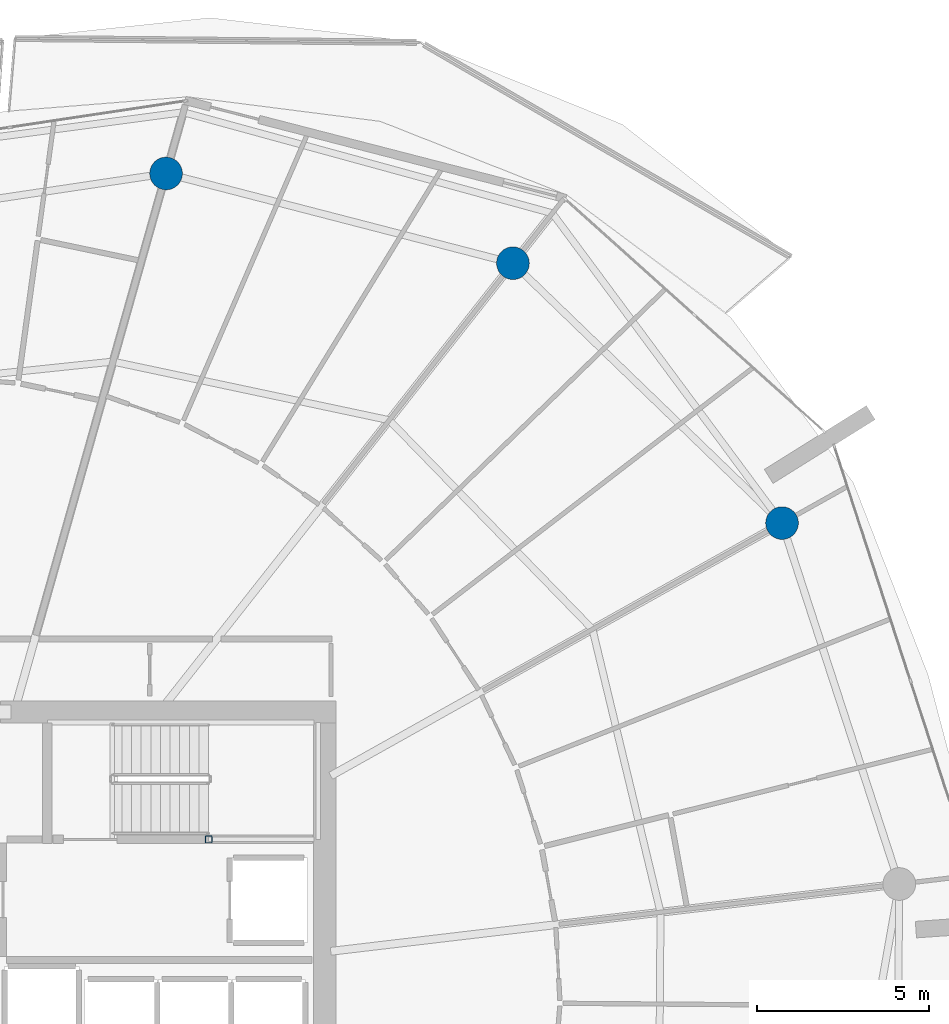
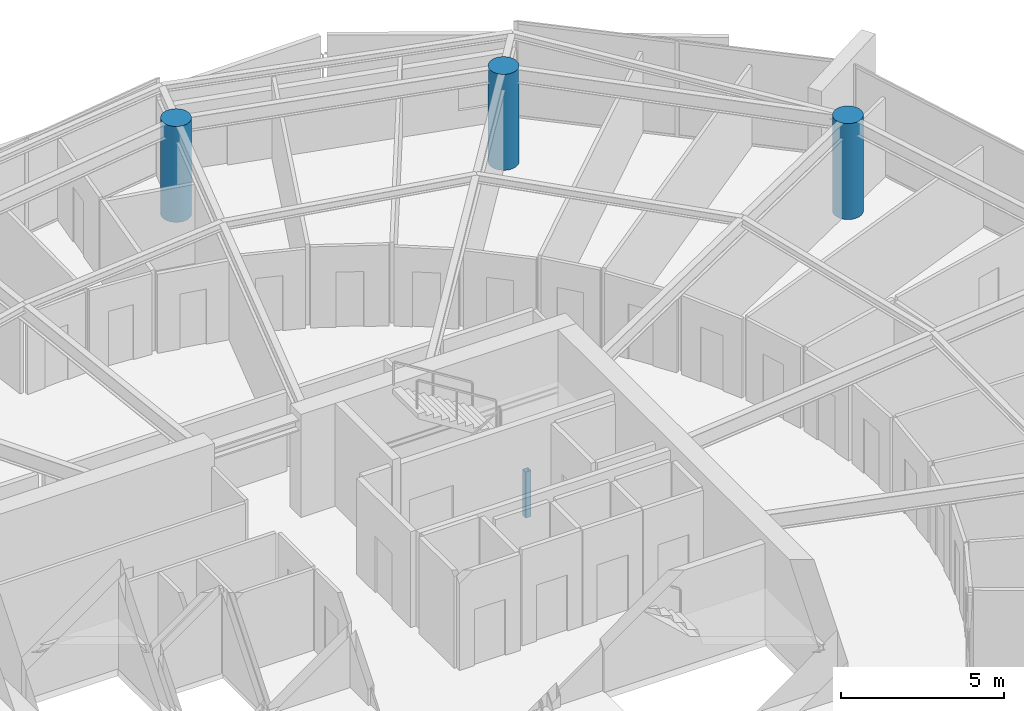
# One storey, part 5 of 31: 4 columns.
"""IFC4 building model written with IfcOpenShell, lengths in metres."""

from ifc_helpers import new_model, si_unit, direction, frame, origin, origin_2d, place, context, subcontext, project, spatial, hollow_rectangle, circle, extrude, material, material_profile, profile_set, type_object, element, save


model = new_model("IFC4")

# Units and contexts
model_context = context("Model", 3, precision=1e-05, world=origin(), true_north=direction((0.0, 1.0)))
body_context = subcontext(model_context, "Body", "Model", "MODEL_VIEW")
ifc_project = project(units=[si_unit("LENGTHUNIT", "METRE"), si_unit("AREAUNIT", "SQUARE_METRE"), si_unit("VOLUMEUNIT", "CUBIC_METRE"), si_unit("PLANEANGLEUNIT", "RADIAN"), si_unit("MASSUNIT", "GRAM", prefix="KILO")], contexts=[model_context])

# Site, building, storey
site_placement = place(None, origin())
site = spatial("IfcSite", under=ifc_project, at=site_placement, CompositionType="ELEMENT")
building_placement = place(site_placement, origin())
building = spatial("IfcBuilding", under=site, at=building_placement, Name="Kazma Halo Residences", CompositionType="ELEMENT")
storey_placement = place(building_placement, frame((0.0, 0.0, 259.800048828125)))
storey = spatial("IfcBuildingStorey", under=building, at=storey_placement, Name="L65", CompositionType="ELEMENT", Elevation=259.800048828125)

# Columns
ifc_material_1 = material(Name="Steel S355", Category="steel")
ifc_material_profile_1 = material_profile(ifc_material_1, hollow_rectangle(XDim=0.199951171875, YDim=0.199951171875, WallThickness=0.010009765625, InnerFilletRadius=0.010009765625, OuterFilletRadius=0.02001953125, at=origin_2d()), Name="SHS200x200x10")
ifc_profile_set_1 = profile_set([ifc_material_profile_1], Name="Steel S355")
column_type_1 = type_object("IfcColumnType", Name="COL-LP-SHS200", PredefinedType="COLUMN", material=ifc_profile_set_1)
column_placement = place(storey_placement, frame((56.0, 46.6201171875, 0.0), z_axis=(0.0, 0.0, 1.0), x_axis=(1.0, 0.0, 0.0)))
element("IfcColumn", 1, at=column_placement, inside=storey, type_object=column_type_1, Name="L65 ST-02 landing pilaster 1", PredefinedType="COLUMN", context=body_context, shape_type="SweptSolid", body=[
    extrude(hollow_rectangle(XDim=0.199951171875, YDim=0.199951171875, WallThickness=0.010009765625, InnerFilletRadius=0.010009765625, OuterFilletRadius=0.02001953125, at=origin_2d()), origin(), (0.0, 0.0, 1.0), 1.719970703125),
])
ifc_material_2 = material(Name="Concrete C60/75", Category="concrete")
ifc_material_profile_2 = material_profile(ifc_material_2, circle(Radius=0.47509765625, at=origin_2d()), Name="CIRC950")
ifc_profile_set_2 = profile_set([ifc_material_profile_2], Name="Concrete C60/75")
column_type_2 = type_object("IfcColumnType", Name="COL-PERIM-950", PredefinedType="COLUMN", material=ifc_profile_set_2)
for number, where, z_axis, x_axis, name in (
    (2, (72.67041015625, 55.81591796875, 0.0), (0.0, 0.0, 1.0), (1.0, 0.0, 0.0), "L65 perimeter ring column P01"),
    (3, (64.84716796875, 63.37060546875, 0.0), (0.0, 0.0, 1.0), (1.0, 0.0, 0.0), "L65 perimeter ring column P02"),
    (4, (54.762939453125, 65.9794921875, 0.0), (0.0, 0.0, 1.0), (1.0, 0.0, 0.0), "L65 perimeter ring column P03"),
):
    element("IfcColumn", number, at=place(storey_placement, frame(where, z_axis=z_axis, x_axis=x_axis)), inside=storey, type_object=column_type_2, Name=name, PredefinedType="COLUMN", context=body_context, shape_type="SweptSolid", body=[
        extrude(circle(Radius=0.47509765625, at=origin_2d()), origin(), (0.0, 0.0, 1.0), 3.58984375),
    ])

save(model, "model.ifc")
